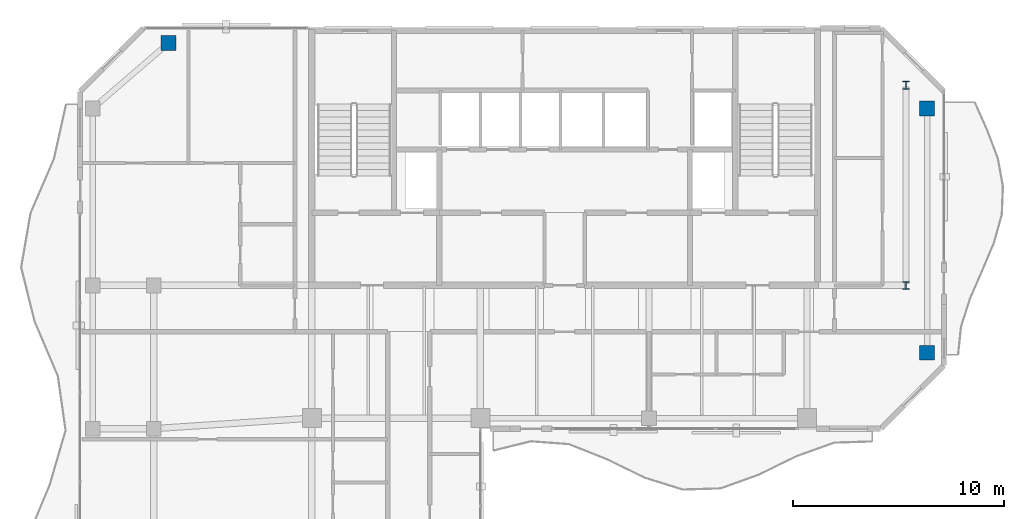
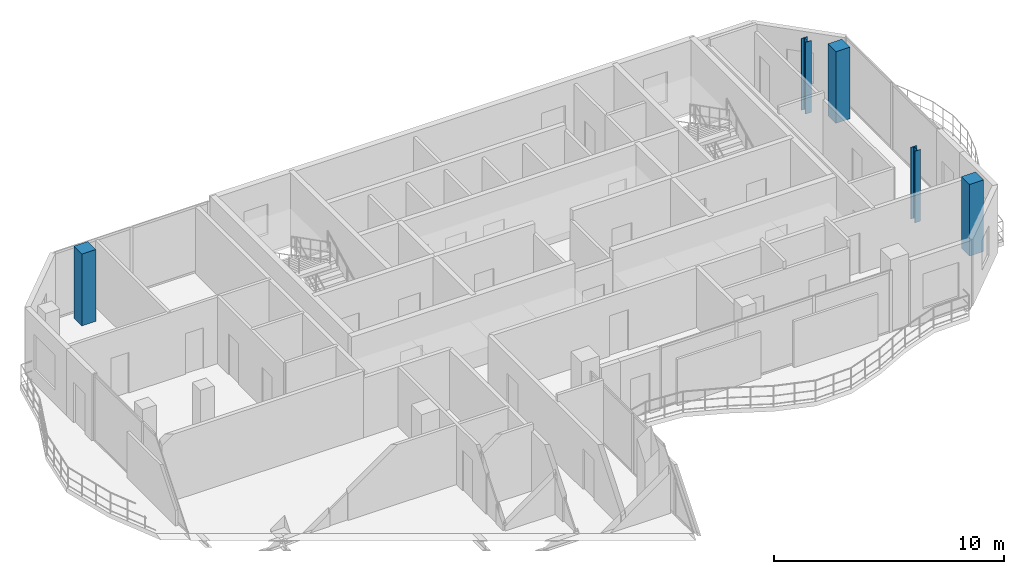
# One storey, part 2 of 22: 5 columns.
"""IFC4 building model written with IfcOpenShell, lengths in metres."""

from ifc_helpers import new_model, si_unit, direction, frame, origin, origin_2d, place, context, subcontext, project, spatial, rectangle, i_section, extrude, material, material_profile, profile_set, type_object, element, save


model = new_model("IFC4")

# Units and contexts
model_context = context("Model", 3, precision=1e-05, world=origin(), true_north=direction((0.0, 1.0)))
body_context = subcontext(model_context, "Body", "Model", "MODEL_VIEW")
ifc_project = project(units=[si_unit("LENGTHUNIT", "METRE"), si_unit("AREAUNIT", "SQUARE_METRE"), si_unit("VOLUMEUNIT", "CUBIC_METRE"), si_unit("PLANEANGLEUNIT", "RADIAN"), si_unit("MASSUNIT", "GRAM", prefix="KILO")], contexts=[model_context])

# Site, building, storey
site_placement = place(None, origin())
site = spatial("IfcSite", under=ifc_project, at=site_placement, CompositionType="ELEMENT")
building_placement = place(site_placement, origin())
building = spatial("IfcBuilding", under=site, at=building_placement, Name="Catumbela Crestline Tower", CompositionType="ELEMENT")
storey_placement = place(building_placement, frame((0.0, 0.0, 260.2)))
storey = spatial("IfcBuildingStorey", under=building, at=storey_placement, Name="L67", CompositionType="ELEMENT", Elevation=260.2)

# Columns
ifc_material_1 = material(Name="Concrete C45/55", Category="concrete")
ifc_material_profile_1 = material_profile(ifc_material_1, rectangle(XDim=0.7, YDim=0.7, at=origin_2d()), Name="RC 700x700")
ifc_profile_set_1 = profile_set([ifc_material_profile_1], Name="Concrete C45/55")
column_type_1 = type_object("IfcColumnType", Name="C-RC700-C45", PredefinedType="COLUMN", material=ifc_profile_set_1)
for number, where, z_axis, x_axis, name in (
    (1, (9.2, 42.3, 0.0), (0.0, 0.0, 1.0), (1.0, 0.0, 0.0), "L67 Column C-08-43 (RC 700x700)"),
    (2, (45.2, 27.6, 0.0), (0.0, 0.0, 1.0), (1.0, 0.0, 0.0), "L67 Column C-46-24 (RC 700x700)"),
    (3, (45.2, 39.2, 0.0), (0.0, 0.0, 1.0), (1.0, 0.0, 0.0), "L67 Column C-46-43 (RC 700x700)"),
):
    element("IfcColumn", number, at=place(storey_placement, frame(where, z_axis=z_axis, x_axis=x_axis)), inside=storey, type_object=column_type_1, Name=name, PredefinedType="COLUMN", context=body_context, shape_type="SweptSolid", body=[
        extrude(rectangle(XDim=0.7, YDim=0.7, at=origin_2d()), origin(), (0.0, 0.0, 1.0), 3.8),
    ])
ifc_material_2 = material(Name="Structural steel S355J2", Category="steel")
ifc_material_profile_2 = material_profile(ifc_material_2, i_section(OverallWidth=0.3, OverallDepth=0.36, WebThickness=0.0125, FlangeThickness=0.0225, FilletRadius=0.027, at=origin_2d()), Name="HEB 360")
ifc_profile_set_2 = profile_set([ifc_material_profile_2], Name="Structural steel S355J2")
column_type_2 = type_object("IfcColumnType", Name="C-ST-HEB360", PredefinedType="COLUMN", material=ifc_profile_set_2)
for number, where, z_axis, x_axis, name in (
    (4, (44.2, 30.8, 0.0), (0.0, 0.0, 1.0), (1.0, 0.0, 0.0), "L67 Column CT-46-31 (HEB 360)"),
    (5, (44.2, 40.3, 0.0), (0.0, 0.0, 1.0), (1.0, 0.0, 0.0), "L67 Column CT-46-37 (HEB 360)"),
):
    element("IfcColumn", number, at=place(storey_placement, frame(where, z_axis=z_axis, x_axis=x_axis)), inside=storey, type_object=column_type_2, Name=name, PredefinedType="COLUMN", context=body_context, shape_type="SweptSolid", body=[
        extrude(i_section(OverallWidth=0.3, OverallDepth=0.36, WebThickness=0.0125, FlangeThickness=0.0225, FilletRadius=0.027, at=origin_2d()), origin(), (0.0, 0.0, 1.0), 3.8),
    ])

save(model, "model.ifc")
